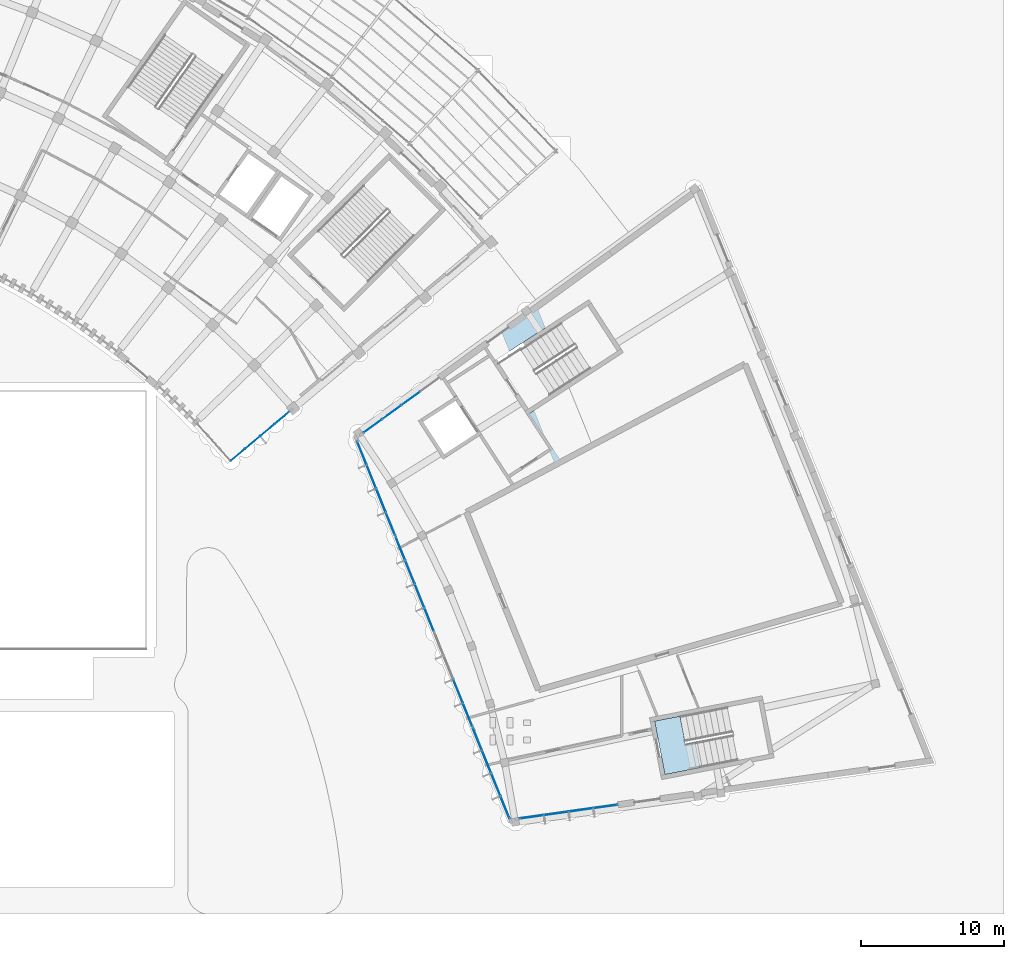
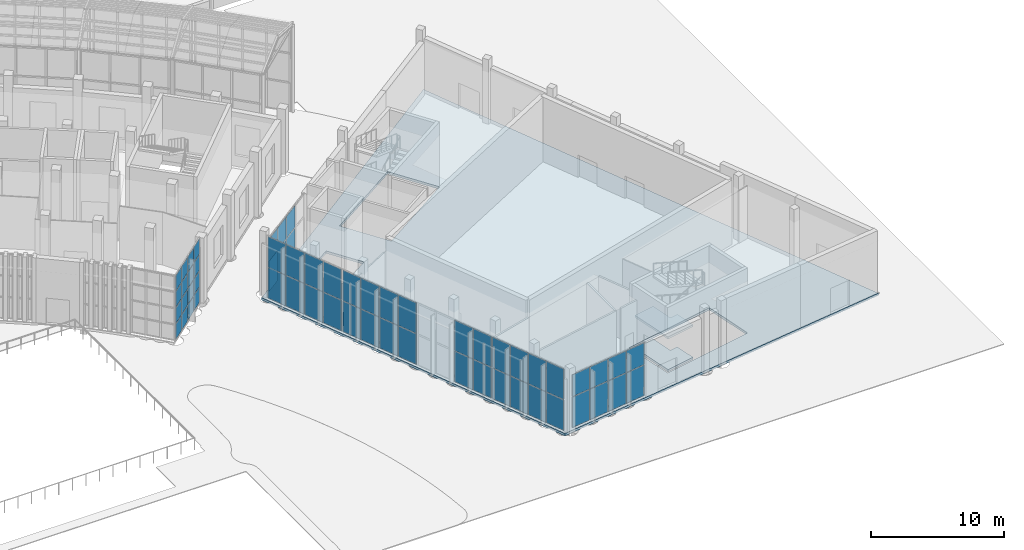
# One storey, part 86 of 155: 58 plates, 3 slabs, 8 elements without a shape of their own.
"""IFC4 building model written with IfcOpenShell, lengths in metres."""

from ifc_helpers import new_model, si_unit, direction, frame, origin, origin_2d, place, context, subcontext, project, spatial, polyline, rectangle, outline, extrude, material, layer, layer_set, type_object, element, aggregate, save


model = new_model("IFC4")

# Units and contexts
model_context = context("Model", 3, precision=1e-05, world=origin(), true_north=direction((0.0, 1.0)))
body_context = subcontext(model_context, "Body", "Model", "MODEL_VIEW")
ifc_project = project(units=[si_unit("LENGTHUNIT", "METRE"), si_unit("AREAUNIT", "SQUARE_METRE"), si_unit("VOLUMEUNIT", "CUBIC_METRE"), si_unit("PLANEANGLEUNIT", "RADIAN"), si_unit("MASSUNIT", "GRAM", prefix="KILO")], contexts=[model_context])

# Site, building, storey
site_placement = place(None, origin())
site = spatial("IfcSite", under=ifc_project, at=site_placement, CompositionType="ELEMENT")
building_placement = place(site_placement, origin())
building = spatial("IfcBuilding", under=site, at=building_placement, Name="Lunette Opera House", CompositionType="ELEMENT")
storey_placement = place(building_placement, origin())
storey = spatial("IfcBuildingStorey", under=building, at=storey_placement, Name="L00", CompositionType="ELEMENT", Elevation=0.0)

# Slab
ifc_material_1 = material(Name="Concrete C35/45", Category="concrete")
ifc_layer_1 = layer(ifc_material_1, 0.219970703125)
ifc_layer_set_1 = layer_set([ifc_layer_1], Name="Concrete C35/45")
slab_type_1 = type_object("IfcSlabType", Name="CORE LANDING SLAB 220", PredefinedType="LANDING", material=ifc_layer_set_1)
slab_1_placement = place(storey_placement, frame((0.0, 0.0, -0.219970703125)))
element("IfcSlab", 1, at=slab_1_placement, inside=storey, type_object=slab_type_1, Name="ST22 floor landing", PredefinedType="LANDING", context=body_context, shape_type="SweptSolid", body=[
    extrude(outline(polyline([(166.35205078125, 11.739990234375), (165.626953125, 15.469970703125), (167.404052734375, 15.81494140625), (167.748046875, 14.048095703125), (167.738037109375, 14.0458984375), (167.77587890625, 13.85009765625), (168.462890625, 13.98388671875), (168.805908203125, 12.217041015625), (166.35205078125, 11.739990234375)])), origin(), (0.0, 0.0, 1.0), 0.219970703125),
])

# Curtain wall, plates
ifc_material_2 = material(Name="Aluminium", Category="aluminium")
ifc_layer_2 = layer(ifc_material_2, 0.159912109375)
ifc_layer_set_2 = layer_set([ifc_layer_2], Name="Aluminium")
curtain_wall_type_1 = type_object("IfcCurtainWallType", Name="CORNER CURTAIN WALL", PredefinedType="NOTDEFINED", material=ifc_layer_set_2)
curtain_wall_1_placement = place(storey_placement, origin())
curtain_wall_1 = element("IfcCurtainWall", 2, at=curtain_wall_1_placement, inside=storey, type_object=curtain_wall_type_1, Name="Corner Curtain Wall GC-E2 L00", PredefinedType="NOTDEFINED")
ifc_material_3 = material(Name="Laminated glass", Category="glass")
ifc_layer_3 = layer(ifc_material_3, 0.028076171875)
ifc_layer_set_3 = layer_set([ifc_layer_3], Name="Laminated glass")
plate_type = type_object("IfcPlateType", Name="CURTAIN PANEL LAMINATED GLASS 28", PredefinedType="CURTAIN_PANEL", material=ifc_layer_set_3)
plate_1_placement = place(storey_placement, frame((136.587646484375, 34.0576171875, 0.06005859375), z_axis=(0.0, 0.0, 1.0), x_axis=(0.766010413212, 0.64282816277, 0.0)))
plate_1 = element("IfcPlate", 3, at=plate_1_placement, type_object=plate_type, Name="FC-X2172 panel 1.1", PredefinedType="CURTAIN_PANEL", context=body_context, shape_type="SweptSolid", body=[
    extrude(rectangle(XDim=1.24755859375, YDim=0.028076171875, at=origin_2d()), origin(), (0.0, 0.0, 1.0), 1.409912109375),
])
plate_2_placement = place(storey_placement, frame((136.587646484375, 34.0576171875, 1.530029296875), z_axis=(0.0, 0.0, 1.0), x_axis=(0.766010413212, 0.64282816277, 0.0)))
plate_2 = element("IfcPlate", 4, at=plate_2_placement, type_object=plate_type, Name="FC-X2172 panel 1.2", PredefinedType="CURTAIN_PANEL", context=body_context, shape_type="SweptSolid", body=[
    extrude(rectangle(XDim=1.24755859375, YDim=0.028076171875, at=origin_2d()), origin(), (0.0, 0.0, 1.0), 1.43994140625),
])
plate_3_placement = place(storey_placement, frame((136.587646484375, 34.0576171875, 3.030029296875), z_axis=(0.0, 0.0, 1.0), x_axis=(0.766010413212, 0.64282816277, 0.0)))
plate_3 = element("IfcPlate", 5, at=plate_3_placement, type_object=plate_type, Name="FC-X2172 panel 1.3", PredefinedType="CURTAIN_PANEL", context=body_context, shape_type="SweptSolid", body=[
    extrude(rectangle(XDim=1.24755859375, YDim=0.028076171875, at=origin_2d()), origin(), (0.0, 0.0, 1.0), 1.43994140625),
])
plate_4_placement = place(storey_placement, frame((136.587646484375, 34.0576171875, 4.5302734375), z_axis=(0.0, 0.0, 1.0), x_axis=(0.766010413212, 0.64282816277, 0.0)))
plate_4 = element("IfcPlate", 6, at=plate_4_placement, type_object=plate_type, Name="FC-X2172 panel 1.4", PredefinedType="CURTAIN_PANEL", context=body_context, shape_type="SweptSolid", body=[
    extrude(rectangle(XDim=1.24755859375, YDim=0.028076171875, at=origin_2d()), origin(), (0.0, 0.0, 1.0), 1.409912109375),
])
plate_5_placement = place(storey_placement, frame((137.600830078125, 34.90771484375, 0.06005859375), z_axis=(0.0, 0.0, 1.0), x_axis=(0.766010413212, 0.64282816277, 0.0)))
plate_5 = element("IfcPlate", 7, at=plate_5_placement, type_object=plate_type, Name="FC-X2172 panel 2.1", PredefinedType="CURTAIN_PANEL", context=body_context, shape_type="SweptSolid", body=[
    extrude(rectangle(XDim=1.27734375, YDim=0.028076171875, at=origin_2d()), origin(), (0.0, 0.0, 1.0), 1.409912109375),
])
plate_6_placement = place(storey_placement, frame((137.600830078125, 34.90771484375, 1.530029296875), z_axis=(0.0, 0.0, 1.0), x_axis=(0.766010413212, 0.64282816277, 0.0)))
plate_6 = element("IfcPlate", 8, at=plate_6_placement, type_object=plate_type, Name="FC-X2172 panel 2.2", PredefinedType="CURTAIN_PANEL", context=body_context, shape_type="SweptSolid", body=[
    extrude(rectangle(XDim=1.27734375, YDim=0.028076171875, at=origin_2d()), origin(), (0.0, 0.0, 1.0), 1.43994140625),
])
plate_7_placement = place(storey_placement, frame((137.600830078125, 34.90771484375, 3.030029296875), z_axis=(0.0, 0.0, 1.0), x_axis=(0.766010413212, 0.64282816277, 0.0)))
plate_7 = element("IfcPlate", 9, at=plate_7_placement, type_object=plate_type, Name="FC-X2172 panel 2.3", PredefinedType="CURTAIN_PANEL", context=body_context, shape_type="SweptSolid", body=[
    extrude(rectangle(XDim=1.27734375, YDim=0.028076171875, at=origin_2d()), origin(), (0.0, 0.0, 1.0), 1.43994140625),
])
plate_8_placement = place(storey_placement, frame((137.600830078125, 34.90771484375, 4.5302734375), z_axis=(0.0, 0.0, 1.0), x_axis=(0.766010413212, 0.64282816277, 0.0)))
plate_8 = element("IfcPlate", 10, at=plate_8_placement, type_object=plate_type, Name="FC-X2172 panel 2.4", PredefinedType="CURTAIN_PANEL", context=body_context, shape_type="SweptSolid", body=[
    extrude(rectangle(XDim=1.27734375, YDim=0.028076171875, at=origin_2d()), origin(), (0.0, 0.0, 1.0), 1.409912109375),
])
plate_9_placement = place(storey_placement, frame((138.625244140625, 35.767333984375, 0.06005859375), z_axis=(0.0, 0.0, 1.0), x_axis=(0.766010413212, 0.64282816277, 0.0)))
plate_9 = element("IfcPlate", 11, at=plate_9_placement, type_object=plate_type, Name="FC-X2172 panel 3.1", PredefinedType="CURTAIN_PANEL", context=body_context, shape_type="SweptSolid", body=[
    extrude(rectangle(XDim=1.27734375, YDim=0.028076171875, at=origin_2d()), origin(), (0.0, 0.0, 1.0), 1.409912109375),
])
plate_10_placement = place(storey_placement, frame((138.625244140625, 35.767333984375, 1.530029296875), z_axis=(0.0, 0.0, 1.0), x_axis=(0.766010413212, 0.64282816277, 0.0)))
plate_10 = element("IfcPlate", 12, at=plate_10_placement, type_object=plate_type, Name="FC-X2172 panel 3.2", PredefinedType="CURTAIN_PANEL", context=body_context, shape_type="SweptSolid", body=[
    extrude(rectangle(XDim=1.27734375, YDim=0.028076171875, at=origin_2d()), origin(), (0.0, 0.0, 1.0), 1.43994140625),
])
plate_11_placement = place(storey_placement, frame((138.625244140625, 35.767333984375, 3.030029296875), z_axis=(0.0, 0.0, 1.0), x_axis=(0.766010413212, 0.64282816277, 0.0)))
plate_11 = element("IfcPlate", 13, at=plate_11_placement, type_object=plate_type, Name="FC-X2172 panel 3.3", PredefinedType="CURTAIN_PANEL", context=body_context, shape_type="SweptSolid", body=[
    extrude(rectangle(XDim=1.27734375, YDim=0.028076171875, at=origin_2d()), origin(), (0.0, 0.0, 1.0), 1.43994140625),
])
plate_12_placement = place(storey_placement, frame((138.625244140625, 35.767333984375, 4.5302734375), z_axis=(0.0, 0.0, 1.0), x_axis=(0.766010413212, 0.64282816277, 0.0)))
plate_12 = element("IfcPlate", 14, at=plate_12_placement, type_object=plate_type, Name="FC-X2172 panel 3.4", PredefinedType="CURTAIN_PANEL", context=body_context, shape_type="SweptSolid", body=[
    extrude(rectangle(XDim=1.27734375, YDim=0.028076171875, at=origin_2d()), origin(), (0.0, 0.0, 1.0), 1.409912109375),
])
plate_13_placement = place(storey_placement, frame((139.63818359375, 36.617431640625, 0.06005859375), z_axis=(0.0, 0.0, 1.0), x_axis=(0.766010413212, 0.64282816277, 0.0)))
plate_13 = element("IfcPlate", 15, at=plate_13_placement, type_object=plate_type, Name="FC-X2172 panel 4.1", PredefinedType="CURTAIN_PANEL", context=body_context, shape_type="SweptSolid", body=[
    extrude(rectangle(XDim=1.24755859375, YDim=0.028076171875, at=origin_2d()), origin(), (0.0, 0.0, 1.0), 1.409912109375),
])
plate_14_placement = place(storey_placement, frame((139.63818359375, 36.617431640625, 1.530029296875), z_axis=(0.0, 0.0, 1.0), x_axis=(0.766010413212, 0.64282816277, 0.0)))
plate_14 = element("IfcPlate", 16, at=plate_14_placement, type_object=plate_type, Name="FC-X2172 panel 4.2", PredefinedType="CURTAIN_PANEL", context=body_context, shape_type="SweptSolid", body=[
    extrude(rectangle(XDim=1.24755859375, YDim=0.028076171875, at=origin_2d()), origin(), (0.0, 0.0, 1.0), 1.43994140625),
])
plate_15_placement = place(storey_placement, frame((139.63818359375, 36.617431640625, 3.030029296875), z_axis=(0.0, 0.0, 1.0), x_axis=(0.766010413212, 0.64282816277, 0.0)))
plate_15 = element("IfcPlate", 17, at=plate_15_placement, type_object=plate_type, Name="FC-X2172 panel 4.3", PredefinedType="CURTAIN_PANEL", context=body_context, shape_type="SweptSolid", body=[
    extrude(rectangle(XDim=1.24755859375, YDim=0.028076171875, at=origin_2d()), origin(), (0.0, 0.0, 1.0), 1.43994140625),
])
plate_16_placement = place(storey_placement, frame((139.63818359375, 36.617431640625, 4.5302734375), z_axis=(0.0, 0.0, 1.0), x_axis=(0.766010413212, 0.64282816277, 0.0)))
plate_16 = element("IfcPlate", 18, at=plate_16_placement, type_object=plate_type, Name="FC-X2172 panel 4.4", PredefinedType="CURTAIN_PANEL", context=body_context, shape_type="SweptSolid", body=[
    extrude(rectangle(XDim=1.24755859375, YDim=0.028076171875, at=origin_2d()), origin(), (0.0, 0.0, 1.0), 1.409912109375),
])
aggregate(curtain_wall_1, [plate_1, plate_2, plate_3, plate_4, plate_5, plate_6, plate_7, plate_8, plate_9, plate_10, plate_11, plate_12, plate_13, plate_14, plate_15, plate_16])

ifc_material_4 = material(Name="Aluminium", Category="aluminium")
ifc_layer_4 = layer(ifc_material_4, 0.139892578125)
ifc_layer_set_4 = layer_set([ifc_layer_4], Name="Aluminium")
curtain_wall_type_2 = type_object("IfcCurtainWallType", Name="STUDIO CURTAIN WALL", PredefinedType="NOTDEFINED", material=ifc_layer_set_4)
curtain_wall_2_placement = place(storey_placement, origin())
curtain_wall_2 = element("IfcCurtainWall", 19, at=curtain_wall_2_placement, inside=storey, type_object=curtain_wall_type_2, Name="Studio Curtain Wall F01 L00", PredefinedType="NOTDEFINED")
plate_17_placement = place(storey_placement, frame((145.21630859375, 34.156982421875, 0.06005859375), z_axis=(0.0, 0.0, 1.0), x_axis=(0.37464584491, -0.927167994967, 0.0)))
plate_17 = element("IfcPlate", 20, at=plate_17_placement, type_object=plate_type, Name="SB-X2001 panel 1.1", PredefinedType="CURTAIN_PANEL", context=body_context, shape_type="SweptSolid", body=[
    extrude(rectangle(XDim=1.6962890625, YDim=0.028076171875, at=origin_2d()), origin(), (0.0, 0.0, 1.0), 2.800048828125),
])
plate_18_placement = place(storey_placement, frame((145.21630859375, 34.156982421875, 2.919921875), z_axis=(0.0, 0.0, 1.0), x_axis=(0.37464584491, -0.927167994967, 0.0)))
plate_18 = element("IfcPlate", 21, at=plate_18_placement, type_object=plate_type, Name="SB-X2001 panel 1.2", PredefinedType="CURTAIN_PANEL", context=body_context, shape_type="SweptSolid", body=[
    extrude(rectangle(XDim=1.6962890625, YDim=0.028076171875, at=origin_2d()), origin(), (0.0, 0.0, 1.0), 2.800048828125),
])
plate_19_placement = place(storey_placement, frame((145.8798828125, 32.5146484375, 0.06005859375), z_axis=(0.0, 0.0, 1.0), x_axis=(0.37464584491, -0.927167994967, 0.0)))
plate_19 = element("IfcPlate", 22, at=plate_19_placement, type_object=plate_type, Name="SB-X2001 panel 2.1", PredefinedType="CURTAIN_PANEL", context=body_context, shape_type="SweptSolid", body=[
    extrude(rectangle(XDim=1.726318359375, YDim=0.028076171875, at=origin_2d()), origin(), (0.0, 0.0, 1.0), 2.800048828125),
])
plate_20_placement = place(storey_placement, frame((145.8798828125, 32.5146484375, 2.919921875), z_axis=(0.0, 0.0, 1.0), x_axis=(0.37464584491, -0.927167994967, 0.0)))
plate_20 = element("IfcPlate", 23, at=plate_20_placement, type_object=plate_type, Name="SB-X2001 panel 2.2", PredefinedType="CURTAIN_PANEL", context=body_context, shape_type="SweptSolid", body=[
    extrude(rectangle(XDim=1.726318359375, YDim=0.028076171875, at=origin_2d()), origin(), (0.0, 0.0, 1.0), 2.800048828125),
])
plate_21_placement = place(storey_placement, frame((146.549072265625, 30.8583984375, 0.06005859375), z_axis=(0.0, 0.0, 1.0), x_axis=(0.37464584491, -0.927167994967, 0.0)))
plate_21 = element("IfcPlate", 24, at=plate_21_placement, type_object=plate_type, Name="SB-X2001 panel 3.1", PredefinedType="CURTAIN_PANEL", context=body_context, shape_type="SweptSolid", body=[
    extrude(rectangle(XDim=1.726318359375, YDim=0.028076171875, at=origin_2d()), origin(), (0.0, 0.0, 1.0), 2.800048828125),
])
plate_22_placement = place(storey_placement, frame((146.549072265625, 30.8583984375, 2.919921875), z_axis=(0.0, 0.0, 1.0), x_axis=(0.37464584491, -0.927167994967, 0.0)))
plate_22 = element("IfcPlate", 25, at=plate_22_placement, type_object=plate_type, Name="SB-X2001 panel 3.2", PredefinedType="CURTAIN_PANEL", context=body_context, shape_type="SweptSolid", body=[
    extrude(rectangle(XDim=1.726318359375, YDim=0.028076171875, at=origin_2d()), origin(), (0.0, 0.0, 1.0), 2.800048828125),
])
plate_23_placement = place(storey_placement, frame((147.212646484375, 29.216064453125, 0.06005859375), z_axis=(0.0, 0.0, 1.0), x_axis=(0.37464584491, -0.927167994967, 0.0)))
plate_23 = element("IfcPlate", 26, at=plate_23_placement, type_object=plate_type, Name="SB-X2001 panel 4.1", PredefinedType="CURTAIN_PANEL", context=body_context, shape_type="SweptSolid", body=[
    extrude(rectangle(XDim=1.6962890625, YDim=0.028076171875, at=origin_2d()), origin(), (0.0, 0.0, 1.0), 2.800048828125),
])
plate_24_placement = place(storey_placement, frame((147.212646484375, 29.216064453125, 2.919921875), z_axis=(0.0, 0.0, 1.0), x_axis=(0.37464584491, -0.927167994967, 0.0)))
plate_24 = element("IfcPlate", 27, at=plate_24_placement, type_object=plate_type, Name="SB-X2001 panel 4.2", PredefinedType="CURTAIN_PANEL", context=body_context, shape_type="SweptSolid", body=[
    extrude(rectangle(XDim=1.6962890625, YDim=0.028076171875, at=origin_2d()), origin(), (0.0, 0.0, 1.0), 2.800048828125),
])
aggregate(curtain_wall_2, [plate_17, plate_18, plate_19, plate_20, plate_21, plate_22, plate_23, plate_24])

curtain_wall_3_placement = place(storey_placement, origin())
curtain_wall_3 = element("IfcCurtainWall", 28, at=curtain_wall_3_placement, inside=storey, type_object=curtain_wall_type_2, Name="Studio Curtain Wall F02 L00", PredefinedType="NOTDEFINED")
plate_25_placement = place(storey_placement, frame((147.904296875, 27.50390625, 0.06005859375), z_axis=(0.0, 0.0, 1.0), x_axis=(0.374597237762, -0.927187634441, 0.0)))
plate_25 = element("IfcPlate", 29, at=plate_25_placement, type_object=plate_type, Name="SB-X2002 panel 1.1", PredefinedType="CURTAIN_PANEL", context=body_context, shape_type="SweptSolid", body=[
    extrude(rectangle(XDim=1.696533203125, YDim=0.028076171875, at=origin_2d()), origin(), (0.0, 0.0, 1.0), 2.800048828125),
])
plate_26_placement = place(storey_placement, frame((147.904296875, 27.50390625, 2.919921875), z_axis=(0.0, 0.0, 1.0), x_axis=(0.374597237762, -0.927187634441, 0.0)))
plate_26 = element("IfcPlate", 30, at=plate_26_placement, type_object=plate_type, Name="SB-X2002 panel 1.2", PredefinedType="CURTAIN_PANEL", context=body_context, shape_type="SweptSolid", body=[
    extrude(rectangle(XDim=1.696533203125, YDim=0.028076171875, at=origin_2d()), origin(), (0.0, 0.0, 1.0), 2.800048828125),
])
plate_27_placement = place(storey_placement, frame((148.56787109375, 25.861328125, 0.06005859375), z_axis=(0.0, 0.0, 1.0), x_axis=(0.374597237762, -0.927187634441, 0.0)))
plate_27 = element("IfcPlate", 31, at=plate_27_placement, type_object=plate_type, Name="SB-X2002 panel 2.1", PredefinedType="CURTAIN_PANEL", context=body_context, shape_type="SweptSolid", body=[
    extrude(rectangle(XDim=1.7265625, YDim=0.028076171875, at=origin_2d()), origin(), (0.0, 0.0, 1.0), 2.800048828125),
])
plate_28_placement = place(storey_placement, frame((148.56787109375, 25.861328125, 2.919921875), z_axis=(0.0, 0.0, 1.0), x_axis=(0.374597237762, -0.927187634441, 0.0)))
plate_28 = element("IfcPlate", 32, at=plate_28_placement, type_object=plate_type, Name="SB-X2002 panel 2.2", PredefinedType="CURTAIN_PANEL", context=body_context, shape_type="SweptSolid", body=[
    extrude(rectangle(XDim=1.7265625, YDim=0.028076171875, at=origin_2d()), origin(), (0.0, 0.0, 1.0), 2.800048828125),
])
plate_29_placement = place(storey_placement, frame((149.237060546875, 24.204833984375, 0.06005859375), z_axis=(0.0, 0.0, 1.0), x_axis=(0.374597237762, -0.927187634441, 0.0)))
plate_29 = element("IfcPlate", 33, at=plate_29_placement, type_object=plate_type, Name="SB-X2002 panel 3.1", PredefinedType="CURTAIN_PANEL", context=body_context, shape_type="SweptSolid", body=[
    extrude(rectangle(XDim=1.7265625, YDim=0.028076171875, at=origin_2d()), origin(), (0.0, 0.0, 1.0), 2.800048828125),
])
plate_30_placement = place(storey_placement, frame((149.237060546875, 24.204833984375, 2.919921875), z_axis=(0.0, 0.0, 1.0), x_axis=(0.374597237762, -0.927187634441, 0.0)))
plate_30 = element("IfcPlate", 34, at=plate_30_placement, type_object=plate_type, Name="SB-X2002 panel 3.2", PredefinedType="CURTAIN_PANEL", context=body_context, shape_type="SweptSolid", body=[
    extrude(rectangle(XDim=1.7265625, YDim=0.028076171875, at=origin_2d()), origin(), (0.0, 0.0, 1.0), 2.800048828125),
])
plate_31_placement = place(storey_placement, frame((149.900634765625, 22.562255859375, 0.06005859375), z_axis=(0.0, 0.0, 1.0), x_axis=(0.374597237762, -0.927187634441, 0.0)))
plate_31 = element("IfcPlate", 35, at=plate_31_placement, type_object=plate_type, Name="SB-X2002 panel 4.1", PredefinedType="CURTAIN_PANEL", context=body_context, shape_type="SweptSolid", body=[
    extrude(rectangle(XDim=1.696533203125, YDim=0.028076171875, at=origin_2d()), origin(), (0.0, 0.0, 1.0), 2.800048828125),
])
plate_32_placement = place(storey_placement, frame((149.900634765625, 22.562255859375, 2.919921875), z_axis=(0.0, 0.0, 1.0), x_axis=(0.374597237762, -0.927187634441, 0.0)))
plate_32 = element("IfcPlate", 36, at=plate_32_placement, type_object=plate_type, Name="SB-X2002 panel 4.2", PredefinedType="CURTAIN_PANEL", context=body_context, shape_type="SweptSolid", body=[
    extrude(rectangle(XDim=1.696533203125, YDim=0.028076171875, at=origin_2d()), origin(), (0.0, 0.0, 1.0), 2.800048828125),
])
aggregate(curtain_wall_3, [plate_25, plate_26, plate_27, plate_28, plate_29, plate_30, plate_31, plate_32])

curtain_wall_4_placement = place(storey_placement, origin())
curtain_wall_4 = element("IfcCurtainWall", 37, at=curtain_wall_4_placement, inside=storey, type_object=curtain_wall_type_2, Name="Studio Curtain Wall F03 L00", PredefinedType="NOTDEFINED")
plate_33_placement = place(storey_placement, frame((151.925048828125, 17.55126953125, 0.06005859375), z_axis=(0.0, 0.0, 1.0), x_axis=(0.37464584491, -0.927167994967, 0.0)))
plate_33 = element("IfcPlate", 38, at=plate_33_placement, type_object=plate_type, Name="SB-X2003 panel 3.1", PredefinedType="CURTAIN_PANEL", context=body_context, shape_type="SweptSolid", body=[
    extrude(rectangle(XDim=1.726318359375, YDim=0.028076171875, at=origin_2d()), origin(), (0.0, 0.0, 1.0), 2.800048828125),
])
plate_34_placement = place(storey_placement, frame((151.925048828125, 17.55126953125, 2.919921875), z_axis=(0.0, 0.0, 1.0), x_axis=(0.37464584491, -0.927167994967, 0.0)))
plate_34 = element("IfcPlate", 39, at=plate_34_placement, type_object=plate_type, Name="SB-X2003 panel 3.2", PredefinedType="CURTAIN_PANEL", context=body_context, shape_type="SweptSolid", body=[
    extrude(rectangle(XDim=1.726318359375, YDim=0.028076171875, at=origin_2d()), origin(), (0.0, 0.0, 1.0), 2.800048828125),
])
plate_35_placement = place(storey_placement, frame((152.5888671875, 15.908935546875, 0.06005859375), z_axis=(0.0, 0.0, 1.0), x_axis=(0.37464584491, -0.927167994967, 0.0)))
plate_35 = element("IfcPlate", 40, at=plate_35_placement, type_object=plate_type, Name="SB-X2003 panel 4.1", PredefinedType="CURTAIN_PANEL", context=body_context, shape_type="SweptSolid", body=[
    extrude(rectangle(XDim=1.6962890625, YDim=0.028076171875, at=origin_2d()), origin(), (0.0, 0.0, 1.0), 2.800048828125),
])
plate_36_placement = place(storey_placement, frame((152.5888671875, 15.908935546875, 2.919921875), z_axis=(0.0, 0.0, 1.0), x_axis=(0.37464584491, -0.927167994967, 0.0)))
plate_36 = element("IfcPlate", 41, at=plate_36_placement, type_object=plate_type, Name="SB-X2003 panel 4.2", PredefinedType="CURTAIN_PANEL", context=body_context, shape_type="SweptSolid", body=[
    extrude(rectangle(XDim=1.6962890625, YDim=0.028076171875, at=origin_2d()), origin(), (0.0, 0.0, 1.0), 2.800048828125),
])
aggregate(curtain_wall_4, [plate_33, plate_34, plate_35, plate_36])

curtain_wall_5_placement = place(storey_placement, origin())
curtain_wall_5 = element("IfcCurtainWall", 42, at=curtain_wall_5_placement, inside=storey, type_object=curtain_wall_type_2, Name="Studio Curtain Wall F04 L00", PredefinedType="NOTDEFINED")
plate_37_placement = place(storey_placement, frame((153.26904296875, 14.224609375, 0.06005859375), z_axis=(0.0, 0.0, 1.0), x_axis=(0.374609092545, -0.927182844849, 0.0)))
plate_37 = element("IfcPlate", 43, at=plate_37_placement, type_object=plate_type, Name="SB-X2004 panel 1.1", PredefinedType="CURTAIN_PANEL", context=body_context, shape_type="SweptSolid", body=[
    extrude(rectangle(XDim=1.636474609375, YDim=0.028076171875, at=origin_2d()), origin(), (0.0, 0.0, 1.0), 2.800048828125),
])
plate_38_placement = place(storey_placement, frame((153.26904296875, 14.224609375, 2.919921875), z_axis=(0.0, 0.0, 1.0), x_axis=(0.374609092545, -0.927182844849, 0.0)))
plate_38 = element("IfcPlate", 44, at=plate_38_placement, type_object=plate_type, Name="SB-X2004 panel 1.2", PredefinedType="CURTAIN_PANEL", context=body_context, shape_type="SweptSolid", body=[
    extrude(rectangle(XDim=1.636474609375, YDim=0.028076171875, at=origin_2d()), origin(), (0.0, 0.0, 1.0), 2.800048828125),
])
plate_39_placement = place(storey_placement, frame((153.91015625, 12.637939453125, 0.06005859375), z_axis=(0.0, 0.0, 1.0), x_axis=(0.374609092545, -0.927182844849, 0.0)))
plate_39 = element("IfcPlate", 45, at=plate_39_placement, type_object=plate_type, Name="SB-X2004 panel 2.1", PredefinedType="CURTAIN_PANEL", context=body_context, shape_type="SweptSolid", body=[
    extrude(rectangle(XDim=1.66650390625, YDim=0.028076171875, at=origin_2d()), origin(), (0.0, 0.0, 1.0), 2.800048828125),
])
plate_40_placement = place(storey_placement, frame((153.91015625, 12.637939453125, 2.919921875), z_axis=(0.0, 0.0, 1.0), x_axis=(0.374609092545, -0.927182844849, 0.0)))
plate_40 = element("IfcPlate", 46, at=plate_40_placement, type_object=plate_type, Name="SB-X2004 panel 2.2", PredefinedType="CURTAIN_PANEL", context=body_context, shape_type="SweptSolid", body=[
    extrude(rectangle(XDim=1.66650390625, YDim=0.028076171875, at=origin_2d()), origin(), (0.0, 0.0, 1.0), 2.800048828125),
])
plate_41_placement = place(storey_placement, frame((154.556884765625, 11.037109375, 0.06005859375), z_axis=(0.0, 0.0, 1.0), x_axis=(0.374609092545, -0.927182844849, 0.0)))
plate_41 = element("IfcPlate", 47, at=plate_41_placement, type_object=plate_type, Name="SB-X2004 panel 3.1", PredefinedType="CURTAIN_PANEL", context=body_context, shape_type="SweptSolid", body=[
    extrude(rectangle(XDim=1.66650390625, YDim=0.028076171875, at=origin_2d()), origin(), (0.0, 0.0, 1.0), 2.800048828125),
])
plate_42_placement = place(storey_placement, frame((154.556884765625, 11.037109375, 2.919921875), z_axis=(0.0, 0.0, 1.0), x_axis=(0.374609092545, -0.927182844849, 0.0)))
plate_42 = element("IfcPlate", 48, at=plate_42_placement, type_object=plate_type, Name="SB-X2004 panel 3.2", PredefinedType="CURTAIN_PANEL", context=body_context, shape_type="SweptSolid", body=[
    extrude(rectangle(XDim=1.66650390625, YDim=0.028076171875, at=origin_2d()), origin(), (0.0, 0.0, 1.0), 2.800048828125),
])
plate_43_placement = place(storey_placement, frame((155.197998046875, 9.4501953125, 0.06005859375), z_axis=(0.0, 0.0, 1.0), x_axis=(0.374609092545, -0.927182844849, 0.0)))
plate_43 = element("IfcPlate", 49, at=plate_43_placement, type_object=plate_type, Name="SB-X2004 panel 4.1", PredefinedType="CURTAIN_PANEL", context=body_context, shape_type="SweptSolid", body=[
    extrude(rectangle(XDim=1.636474609375, YDim=0.028076171875, at=origin_2d()), origin(), (0.0, 0.0, 1.0), 2.800048828125),
])
plate_44_placement = place(storey_placement, frame((155.197998046875, 9.4501953125, 2.919921875), z_axis=(0.0, 0.0, 1.0), x_axis=(0.374609092545, -0.927182844849, 0.0)))
plate_44 = element("IfcPlate", 50, at=plate_44_placement, type_object=plate_type, Name="SB-X2004 panel 4.2", PredefinedType="CURTAIN_PANEL", context=body_context, shape_type="SweptSolid", body=[
    extrude(rectangle(XDim=1.636474609375, YDim=0.028076171875, at=origin_2d()), origin(), (0.0, 0.0, 1.0), 2.800048828125),
])
aggregate(curtain_wall_5, [plate_37, plate_38, plate_39, plate_40, plate_41, plate_42, plate_43, plate_44])

curtain_wall_6_placement = place(storey_placement, origin())
curtain_wall_6 = element("IfcCurtainWall", 51, at=curtain_wall_6_placement, inside=storey, type_object=curtain_wall_type_2, Name="Studio Curtain Wall F05 L00", PredefinedType="NOTDEFINED")
plate_45_placement = place(storey_placement, frame((157.060546875, 8.793212890625, 0.06005859375), z_axis=(0.0, 0.0, 1.0), x_axis=(0.990263078154, 0.139208606221, 0.0)))
plate_45 = element("IfcPlate", 52, at=plate_45_placement, type_object=plate_type, Name="SB-X2005 panel 1.1", PredefinedType="CURTAIN_PANEL", context=body_context, shape_type="SweptSolid", body=[
    extrude(rectangle(XDim=1.650146484375, YDim=0.028076171875, at=origin_2d()), origin(), (0.0, 0.0, 1.0), 2.800048828125),
])
plate_46_placement = place(storey_placement, frame((157.060546875, 8.793212890625, 2.919921875), z_axis=(0.0, 0.0, 1.0), x_axis=(0.990263078154, 0.139208606221, 0.0)))
plate_46 = element("IfcPlate", 53, at=plate_46_placement, type_object=plate_type, Name="SB-X2005 panel 1.2", PredefinedType="CURTAIN_PANEL", context=body_context, shape_type="SweptSolid", body=[
    extrude(rectangle(XDim=1.650146484375, YDim=0.028076171875, at=origin_2d()), origin(), (0.0, 0.0, 1.0), 2.0),
])
plate_47_placement = place(storey_placement, frame((158.768798828125, 9.033447265625, 0.06005859375), z_axis=(0.0, 0.0, 1.0), x_axis=(0.990263078154, 0.139208606221, 0.0)))
plate_47 = element("IfcPlate", 54, at=plate_47_placement, type_object=plate_type, Name="SB-X2005 panel 2.1", PredefinedType="CURTAIN_PANEL", context=body_context, shape_type="SweptSolid", body=[
    extrude(rectangle(XDim=1.68017578125, YDim=0.028076171875, at=origin_2d()), origin(), (0.0, 0.0, 1.0), 2.800048828125),
])
plate_48_placement = place(storey_placement, frame((158.768798828125, 9.033447265625, 2.919921875), z_axis=(0.0, 0.0, 1.0), x_axis=(0.990263078154, 0.139208606221, 0.0)))
plate_48 = element("IfcPlate", 55, at=plate_48_placement, type_object=plate_type, Name="SB-X2005 panel 2.2", PredefinedType="CURTAIN_PANEL", context=body_context, shape_type="SweptSolid", body=[
    extrude(rectangle(XDim=1.68017578125, YDim=0.028076171875, at=origin_2d()), origin(), (0.0, 0.0, 1.0), 2.0),
])
plate_49_placement = place(storey_placement, frame((160.4921875, 9.275634765625, 0.06005859375), z_axis=(0.0, 0.0, 1.0), x_axis=(0.990263078154, 0.139208606221, 0.0)))
plate_49 = element("IfcPlate", 56, at=plate_49_placement, type_object=plate_type, Name="SB-X2005 panel 3.1", PredefinedType="CURTAIN_PANEL", context=body_context, shape_type="SweptSolid", body=[
    extrude(rectangle(XDim=1.68017578125, YDim=0.028076171875, at=origin_2d()), origin(), (0.0, 0.0, 1.0), 2.800048828125),
])
plate_50_placement = place(storey_placement, frame((160.4921875, 9.275634765625, 2.919921875), z_axis=(0.0, 0.0, 1.0), x_axis=(0.990263078154, 0.139208606221, 0.0)))
plate_50 = element("IfcPlate", 57, at=plate_50_placement, type_object=plate_type, Name="SB-X2005 panel 3.2", PredefinedType="CURTAIN_PANEL", context=body_context, shape_type="SweptSolid", body=[
    extrude(rectangle(XDim=1.68017578125, YDim=0.028076171875, at=origin_2d()), origin(), (0.0, 0.0, 1.0), 2.0),
])
plate_51_placement = place(storey_placement, frame((162.200439453125, 9.515869140625, 0.06005859375), z_axis=(0.0, 0.0, 1.0), x_axis=(0.990263078154, 0.139208606221, 0.0)))
plate_51 = element("IfcPlate", 58, at=plate_51_placement, type_object=plate_type, Name="SB-X2005 panel 4.1", PredefinedType="CURTAIN_PANEL", context=body_context, shape_type="SweptSolid", body=[
    extrude(rectangle(XDim=1.650146484375, YDim=0.028076171875, at=origin_2d()), origin(), (0.0, 0.0, 1.0), 2.800048828125),
])
plate_52_placement = place(storey_placement, frame((162.200439453125, 9.515869140625, 2.919921875), z_axis=(0.0, 0.0, 1.0), x_axis=(0.990263078154, 0.139208606221, 0.0)))
plate_52 = element("IfcPlate", 59, at=plate_52_placement, type_object=plate_type, Name="SB-X2005 panel 4.2", PredefinedType="CURTAIN_PANEL", context=body_context, shape_type="SweptSolid", body=[
    extrude(rectangle(XDim=1.650146484375, YDim=0.028076171875, at=origin_2d()), origin(), (0.0, 0.0, 1.0), 2.0),
])
aggregate(curtain_wall_6, [plate_45, plate_46, plate_47, plate_48, plate_49, plate_50, plate_51, plate_52])

curtain_wall_7_placement = place(storey_placement, origin())
curtain_wall_7 = element("IfcCurtainWall", 60, at=curtain_wall_7_placement, inside=storey, type_object=curtain_wall_type_2, Name="Studio Curtain Wall F18 L00", PredefinedType="NOTDEFINED")
plate_53_placement = place(storey_placement, frame((148.622802734375, 37.973388671875, 0.06005859375), z_axis=(0.0, 0.0, 1.0), x_axis=(-0.809026920488, -0.587771589927, 0.0)))
plate_53 = element("IfcPlate", 61, at=plate_53_placement, type_object=plate_type, Name="SB-X2006 panel 2.1", PredefinedType="CURTAIN_PANEL", context=body_context, shape_type="SweptSolid", body=[
    extrude(rectangle(XDim=1.574951171875, YDim=0.028076171875, at=origin_2d()), origin(), (0.0, 0.0, 1.0), 2.800048828125),
])
plate_54_placement = place(storey_placement, frame((148.622802734375, 37.973388671875, 2.919921875), z_axis=(0.0, 0.0, 1.0), x_axis=(-0.809026920488, -0.587771589927, 0.0)))
plate_54 = element("IfcPlate", 62, at=plate_54_placement, type_object=plate_type, Name="SB-X2006 panel 2.2", PredefinedType="CURTAIN_PANEL", context=body_context, shape_type="SweptSolid", body=[
    extrude(rectangle(XDim=1.574951171875, YDim=0.028076171875, at=origin_2d()), origin(), (0.0, 0.0, 1.0), 2.0),
])
plate_55_placement = place(storey_placement, frame((147.300048828125, 37.012451171875, 0.06005859375), z_axis=(0.0, 0.0, 1.0), x_axis=(-0.809026920488, -0.587771589927, 0.0)))
plate_55 = element("IfcPlate", 63, at=plate_55_placement, type_object=plate_type, Name="SB-X2006 panel 3.1", PredefinedType="CURTAIN_PANEL", context=body_context, shape_type="SweptSolid", body=[
    extrude(rectangle(XDim=1.574951171875, YDim=0.028076171875, at=origin_2d()), origin(), (0.0, 0.0, 1.0), 2.800048828125),
])
plate_56_placement = place(storey_placement, frame((147.300048828125, 37.012451171875, 2.919921875), z_axis=(0.0, 0.0, 1.0), x_axis=(-0.809026920488, -0.587771589927, 0.0)))
plate_56 = element("IfcPlate", 64, at=plate_56_placement, type_object=plate_type, Name="SB-X2006 panel 3.2", PredefinedType="CURTAIN_PANEL", context=body_context, shape_type="SweptSolid", body=[
    extrude(rectangle(XDim=1.574951171875, YDim=0.028076171875, at=origin_2d()), origin(), (0.0, 0.0, 1.0), 2.0),
])
plate_57_placement = place(storey_placement, frame((145.989501953125, 36.060302734375, 0.06005859375), z_axis=(0.0, 0.0, 1.0), x_axis=(-0.809026920488, -0.587771589927, 0.0)))
plate_57 = element("IfcPlate", 65, at=plate_57_placement, type_object=plate_type, Name="SB-X2006 panel 4.1", PredefinedType="CURTAIN_PANEL", context=body_context, shape_type="SweptSolid", body=[
    extrude(rectangle(XDim=1.544921875, YDim=0.028076171875, at=origin_2d()), origin(), (0.0, 0.0, 1.0), 2.800048828125),
])
plate_58_placement = place(storey_placement, frame((145.989501953125, 36.060302734375, 2.919921875), z_axis=(0.0, 0.0, 1.0), x_axis=(-0.809026920488, -0.587771589927, 0.0)))
plate_58 = element("IfcPlate", 66, at=plate_58_placement, type_object=plate_type, Name="SB-X2006 panel 4.2", PredefinedType="CURTAIN_PANEL", context=body_context, shape_type="SweptSolid", body=[
    extrude(rectangle(XDim=1.544921875, YDim=0.028076171875, at=origin_2d()), origin(), (0.0, 0.0, 1.0), 2.0),
])
aggregate(curtain_wall_7, [plate_53, plate_54, plate_55, plate_56, plate_57, plate_58])

# Slab
ifc_material_5 = material(Name="Concrete C35/45", Category="concrete")
ifc_layer_5 = layer(ifc_material_5, 0.219970703125)
ifc_layer_set_5 = layer_set([ifc_layer_5], Name="Concrete C35/45")
slab_type_2 = type_object("IfcSlabType", Name="FLOOR SLAB 220", PredefinedType="FLOOR", material=ifc_layer_set_5)
slab_2_placement = place(storey_placement, frame((0.0, 0.0, -0.219970703125)))
element("IfcSlab", 67, at=slab_2_placement, inside=storey, type_object=slab_type_2, Name="slab-SB-L00-F1", PredefinedType="FLOOR", context=body_context, shape_type="SweptSolid", body=[
    extrude(outline(polyline([(185.1240234375, 12.52587890625), (168.81201171875, 52.90087890625), (144.541015625, 35.26708984375), (155.416015625, 8.35009765625), (185.1240234375, 12.52587890625)]), holes=[polyline([(165.27587890625, 15.70703125), (173.12890625, 17.23291015625), (173.968017578125, 12.9140625), (166.114990234375, 11.387939453125), (165.27587890625, 15.70703125)]), polyline([(151.822998046875, 38.158935546875), (153.56591796875, 35.47607421875), (150.882080078125, 33.73291015625), (149.138916015625, 36.4169921875), (151.822998046875, 38.158935546875)]), polyline([(161.056884765625, 44.8720703125), (163.452880859375, 41.180908203125), (156.743896484375, 36.823974609375), (154.346923828125, 40.513916015625), (161.056884765625, 44.8720703125)])]), origin(), (0.0, 0.0, 1.0), 0.219970703125),
])

# Stair, slab
ifc_material_6 = material(Name="Concrete C35/45", Category="concrete")
stair_type = type_object("IfcStairType", Name="DOGLEG STAIR 1800", PredefinedType="HALF_TURN_STAIR", material=ifc_material_6)
stair_placement = place(storey_placement, origin())
stair = element("IfcStair", 68, at=stair_placement, inside=storey, type_object=stair_type, Name="L00 stair ST22", PredefinedType="HALF_TURN_STAIR")
ifc_material_7 = material(Name="Concrete C35/45", Category="concrete")
ifc_layer_6 = layer(ifc_material_7, 0.199951171875)
ifc_layer_set_6 = layer_set([ifc_layer_6], Name="Concrete C35/45")
slab_type_3 = type_object("IfcSlabType", Name="STAIR LANDING SLAB 200", PredefinedType="LANDING", material=ifc_layer_set_6)
slab_3_placement = place(storey_placement, frame((0.0, 0.0, 2.800048828125)))
slab_3 = element("IfcSlab", 69, at=slab_3_placement, type_object=slab_type_3, Name="ST22 landing 2", PredefinedType="LANDING", context=body_context, shape_type="SweptSolid", body=[
    extrude(outline(polyline([(166.35205078125, 11.739990234375), (165.626953125, 15.469970703125), (167.404052734375, 15.81494140625), (167.748046875, 14.048095703125), (167.738037109375, 14.0458984375), (167.77587890625, 13.85009765625), (168.462890625, 13.98388671875), (168.805908203125, 12.217041015625), (166.35205078125, 11.739990234375)])), origin(), (0.0, 0.0, 1.0), 0.199951171875),
])
aggregate(stair, [slab_3])

save(model, "model.ifc")
